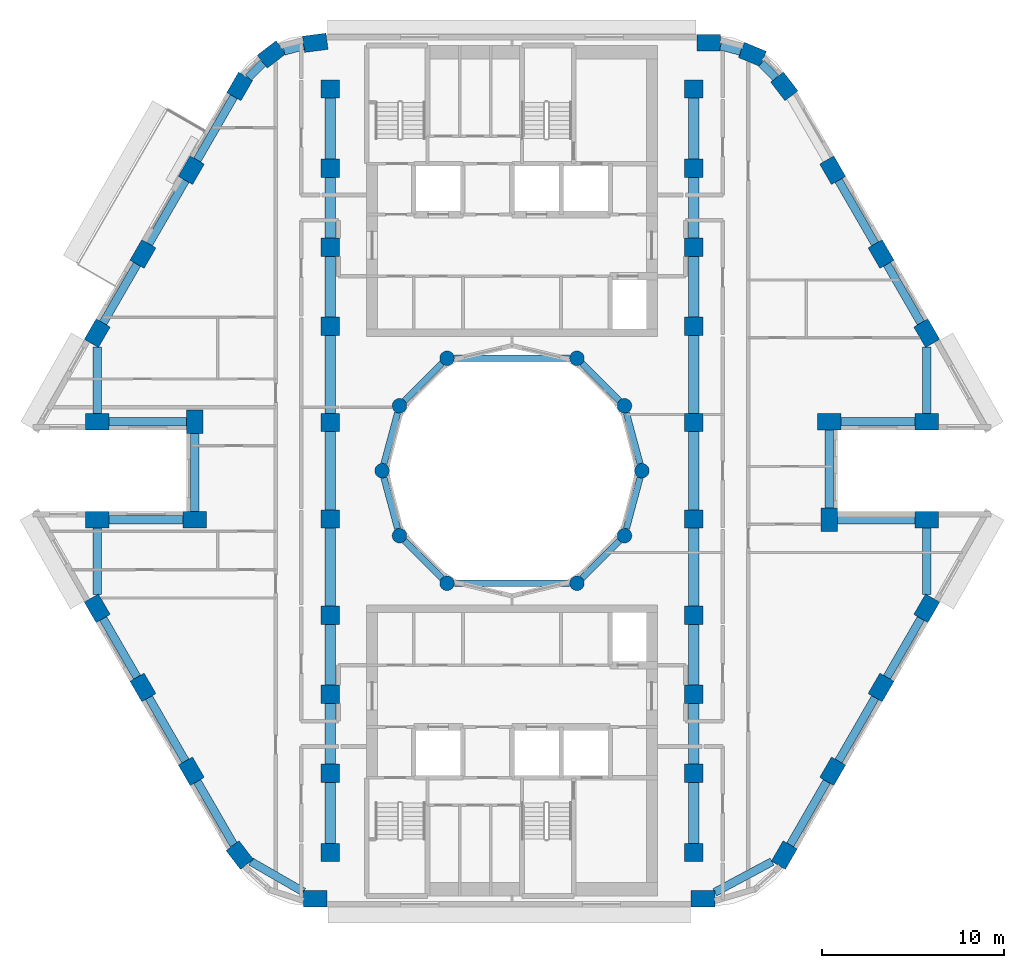
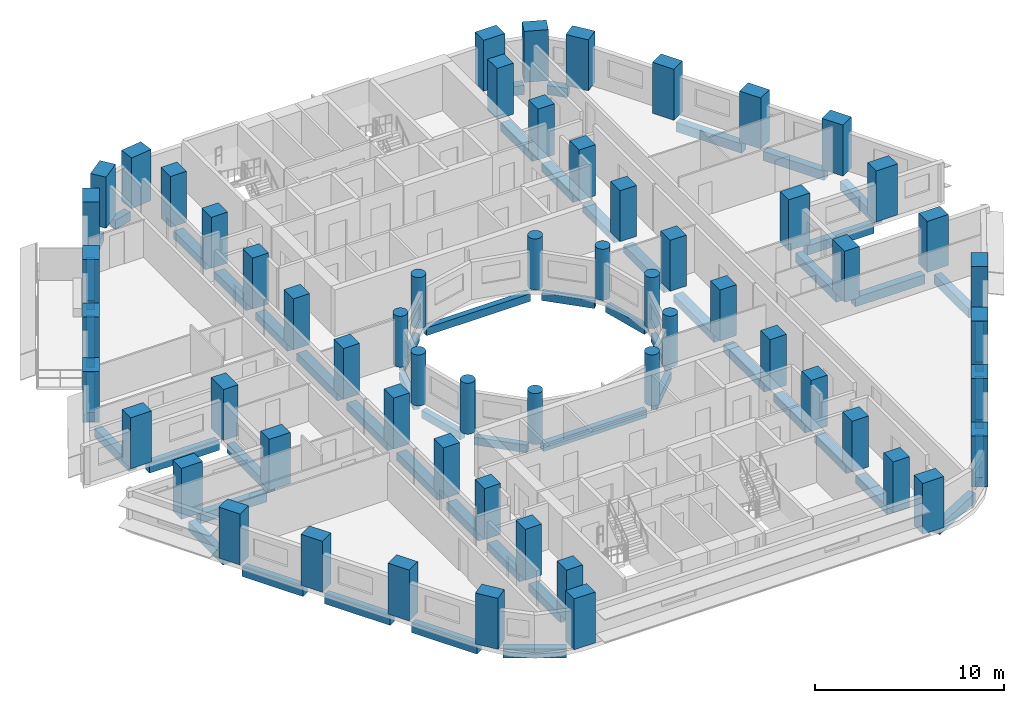
# One storey, part 1 of 13: 60 columns, 55 beams.
"""IFC4 building model written with IfcOpenShell, lengths in metres."""

from ifc_helpers import new_model, si_unit, direction, frame, origin, origin_2d, place, context, subcontext, project, spatial, rectangle, circle, extrude, material, material_profile, profile_set, type_object, element, save


model = new_model("IFC4")

# Units and contexts
model_context = context("Model", 3, precision=1e-05, world=origin(), true_north=direction((0.0, 1.0)))
body_context = subcontext(model_context, "Body", "Model", "MODEL_VIEW")
ifc_project = project(units=[si_unit("LENGTHUNIT", "METRE"), si_unit("AREAUNIT", "SQUARE_METRE"), si_unit("VOLUMEUNIT", "CUBIC_METRE"), si_unit("PLANEANGLEUNIT", "RADIAN"), si_unit("MASSUNIT", "GRAM", prefix="KILO")], contexts=[model_context])

# Site, building, storey
site_placement = place(None, origin())
site = spatial("IfcSite", under=ifc_project, at=site_placement, CompositionType="ELEMENT")
building_placement = place(site_placement, origin())
building = spatial("IfcBuilding", under=site, at=building_placement, Name="Nakaniwa Court", CompositionType="ELEMENT")
storey_placement = place(building_placement, frame((0.0, 0.0, 140.39990234375)))
storey = spatial("IfcBuildingStorey", under=building, at=storey_placement, Name="L36", CompositionType="ELEMENT", Elevation=140.39990234375)

# Columns
ifc_material = material(Name="Concrete C80/100", Category="concrete")
ifc_material_profile_1 = material_profile(ifc_material, rectangle(XDim=1.0, YDim=1.0, at=origin_2d()), Name="Concrete C80/100 RC 1000x1000 spine column")
ifc_profile_set_1 = profile_set([ifc_material_profile_1], Name="Concrete C80/100")
column_type_1 = type_object("IfcColumnType", Name="Concrete C80/100 RC 1000x1000 spine column", PredefinedType="COLUMN", material=ifc_profile_set_1)
for number, where, z_axis, x_axis, name in (
    (1, (90.0, 59.0, 0.0), (0.0, 0.0, 1.0), (0.0, 1.0, 0.0), "COLUMN CS-01"),
    (2, (90.0, 63.35009765625, 0.0), (0.0, 0.0, 1.0), (0.0, 1.0, 0.0), "COLUMN CS-02"),
    (3, (90.0, 67.699951171875, 0.0), (0.0, 0.0, 1.0), (0.0, 1.0, 0.0), "COLUMN CS-03"),
    (4, (90.0, 72.050048828125, 0.0), (0.0, 0.0, 1.0), (0.0, 1.0, 0.0), "COLUMN CS-04"),
    (5, (90.0, 77.35009765625, 0.0), (0.0, 0.0, 1.0), (0.0, 1.0, 0.0), "COLUMN CS-05"),
    (6, (90.0, 82.64990234375, 0.0), (0.0, 0.0, 1.0), (0.0, 1.0, 0.0), "COLUMN CS-06"),
    (7, (90.0, 87.949951171875, 0.0), (0.0, 0.0, 1.0), (0.0, 1.0, 0.0), "COLUMN CS-07"),
    (8, (90.0, 92.300048828125, 0.0), (0.0, 0.0, 1.0), (0.0, 1.0, 0.0), "COLUMN CS-08"),
    (9, (90.0, 96.64990234375, 0.0), (0.0, 0.0, 1.0), (0.0, 1.0, 0.0), "COLUMN CS-09"),
    (10, (90.0, 101.0, 0.0), (0.0, 0.0, 1.0), (0.0, 1.0, 0.0), "COLUMN CS-10"),
    (11, (70.0, 101.0, 0.0), (0.0, 0.0, 1.0), (0.0, -1.0, 0.0), "COLUMN CS-11"),
    (12, (70.0, 96.64990234375, 0.0), (0.0, 0.0, 1.0), (0.0, -1.0, 0.0), "COLUMN CS-12"),
    (13, (70.0, 92.300048828125, 0.0), (0.0, 0.0, 1.0), (0.0, -1.0, 0.0), "COLUMN CS-13"),
    (14, (70.0, 87.949951171875, 0.0), (0.0, 0.0, 1.0), (0.0, -1.0, 0.0), "COLUMN CS-14"),
    (15, (70.0, 82.64990234375, 0.0), (0.0, 0.0, 1.0), (0.0, -1.0, 0.0), "COLUMN CS-15"),
    (16, (70.0, 77.35009765625, 0.0), (0.0, 0.0, 1.0), (0.0, -1.0, 0.0), "COLUMN CS-16"),
    (17, (70.0, 72.050048828125, 0.0), (0.0, 0.0, 1.0), (0.0, -1.0, 0.0), "COLUMN CS-17"),
    (18, (70.0, 67.699951171875, 0.0), (0.0, 0.0, 1.0), (0.0, -1.0, 0.0), "COLUMN CS-18"),
    (19, (70.0, 63.35009765625, 0.0), (0.0, 0.0, 1.0), (0.0, -1.0, 0.0), "COLUMN CS-19"),
    (20, (70.0, 59.0, 0.0), (0.0, 0.0, 1.0), (0.0, -1.0, 0.0), "COLUMN CS-20"),
):
    element("IfcColumn", number, at=place(storey_placement, frame(where, z_axis=z_axis, x_axis=x_axis)), inside=storey, type_object=column_type_1, Name=name, PredefinedType="COLUMN", context=body_context, shape_type="SweptSolid", body=[
        extrude(rectangle(XDim=1.0, YDim=1.0, at=origin_2d()), origin(), (0.0, 0.0, 1.0), 3.300048828125),
    ])
ifc_material_profile_2 = material_profile(ifc_material, rectangle(XDim=1.300048828125, YDim=0.89990234375, at=origin_2d()), Name="Concrete C80/100 RC 1300x900 perimeter column")
ifc_profile_set_2 = profile_set([ifc_material_profile_2], Name="Concrete C80/100")
column_type_2 = type_object("IfcColumnType", Name="Concrete C80/100 RC 1300x900 perimeter column", PredefinedType="COLUMN", material=ifc_profile_set_2)
for number, where, z_axis, x_axis, name in (
    (21, (69.17529296875, 103.550048828125, 0.0), (0.0, 0.0, 1.0), (-0.991442583111, -0.130543496177, 0.0), "COLUMN CO-01"),
    (22, (66.772705078125, 102.91015625, 0.0), (0.0, 0.0, 1.0), (-0.793363965062, -0.608747582288, 0.0), "COLUMN CO-02"),
    (23, (65.017578125, 101.1494140625, 0.0), (0.0, 0.0, 1.0), (-0.5, -0.866025403784, 0.0), "COLUMN CO-03"),
    (24, (62.3544921875, 96.537109375, 0.0), (0.0, 0.0, 1.0), (-0.5, -0.866025403784, 0.0), "COLUMN CO-04"),
    (25, (59.691650390625, 91.9248046875, 0.0), (0.0, 0.0, 1.0), (-0.5, -0.866025403784, 0.0), "COLUMN CO-05"),
    (26, (57.177001953125, 87.569580078125, 0.0), (0.0, 0.0, 1.0), (-0.5, -0.866025403784, 0.0), "COLUMN CO-06"),
    (27, (57.177001953125, 82.699951171875, 0.0), (0.0, 0.0, 1.0), (1.0, 0.0, 0.0), "COLUMN CO-08"),
    (28, (62.54150390625, 82.699951171875, 0.0), (0.0, 0.0, 1.0), (0.0, -1.0, 0.0), "COLUMN CO-09"),
    (29, (62.54150390625, 77.300048828125, 0.0), (0.0, 0.0, 1.0), (-1.0, 0.0, 0.0), "COLUMN CO-10"),
    (30, (57.177001953125, 77.300048828125, 0.0), (0.0, 0.0, 1.0), (-1.0, 0.0, 0.0), "COLUMN CO-11"),
    (31, (57.177001953125, 72.430419921875, 0.0), (0.0, 0.0, 1.0), (0.5, -0.866025403784, 0.0), "COLUMN CO-13"),
    (32, (59.691650390625, 68.0751953125, 0.0), (0.0, 0.0, 1.0), (0.5, -0.866025403784, 0.0), "COLUMN CO-14"),
    (33, (62.3544921875, 63.462890625, 0.0), (0.0, 0.0, 1.0), (0.5, -0.866025403784, 0.0), "COLUMN CO-15"),
    (34, (65.017578125, 58.8505859375, 0.0), (0.0, 0.0, 1.0), (0.608761429009, -0.793353340291, 0.0), "COLUMN CO-16"),
    (35, (69.17529296875, 56.449951171875, 0.0), (0.0, 0.0, 1.0), (1.0, 0.0, 0.0), "COLUMN CO-17"),
    (36, (90.507080078125, 56.449951171875, 0.0), (0.0, 0.0, 1.0), (1.0, 0.0, 0.0), "COLUMN CO-21"),
    (37, (94.982421875, 58.8505859375, 0.0), (0.0, 0.0, 1.0), (0.5, 0.866025403784, 0.0), "COLUMN CO-22"),
    (38, (97.6455078125, 63.462890625, 0.0), (0.0, 0.0, 1.0), (0.5, 0.866025403784, 0.0), "COLUMN CO-23"),
    (39, (100.308349609375, 68.0751953125, 0.0), (0.0, 0.0, 1.0), (0.5, 0.866025403784, 0.0), "COLUMN CO-24"),
    (40, (102.822998046875, 72.430419921875, 0.0), (0.0, 0.0, 1.0), (0.5, 0.866025403784, 0.0), "COLUMN CO-25"),
    (41, (102.822998046875, 77.300048828125, 0.0), (0.0, 0.0, 1.0), (-1.0, 0.0, 0.0), "COLUMN CO-27"),
    (42, (97.45849609375, 77.300048828125, 0.0), (0.0, 0.0, 1.0), (0.0, 1.0, 0.0), "COLUMN CO-28"),
    (43, (97.45849609375, 82.699951171875, 0.0), (0.0, 0.0, 1.0), (1.0, 0.0, 0.0), "COLUMN CO-29"),
    (44, (102.822998046875, 82.699951171875, 0.0), (0.0, 0.0, 1.0), (1.0, 0.0, 0.0), "COLUMN CO-30"),
    (45, (102.822998046875, 87.569580078125, 0.0), (0.0, 0.0, 1.0), (-0.5, 0.866025403784, 0.0), "COLUMN CO-32"),
    (46, (100.308349609375, 91.9248046875, 0.0), (0.0, 0.0, 1.0), (-0.5, 0.866025403784, 0.0), "COLUMN CO-33"),
    (47, (97.6455078125, 96.537109375, 0.0), (0.0, 0.0, 1.0), (-0.5, 0.866025403784, 0.0), "COLUMN CO-34"),
    (48, (94.982421875, 101.1494140625, 0.0), (0.0, 0.0, 1.0), (-0.608761429009, 0.793353340291, 0.0), "COLUMN CO-35"),
    (49, (93.227294921875, 102.91015625, 0.0), (0.0, 0.0, 1.0), (-0.923879532511, 0.382683432365, 0.0), "COLUMN CO-36"),
    (50, (90.82470703125, 103.550048828125, 0.0), (0.0, 0.0, 1.0), (-1.0, 0.0, 0.0), "COLUMN CO-37"),
):
    element("IfcColumn", number, at=place(storey_placement, frame(where, z_axis=z_axis, x_axis=x_axis)), inside=storey, type_object=column_type_2, Name=name, PredefinedType="COLUMN", context=body_context, shape_type="SweptSolid", body=[
        extrude(rectangle(XDim=1.300048828125, YDim=0.89990234375, at=origin_2d()), origin(), (0.0, 0.0, 1.0), 3.300048828125),
    ])
ifc_material_profile_3 = material_profile(ifc_material, circle(Radius=0.39990234375, at=origin_2d()), Name="Concrete C80/100 RC D800 inner ring column")
ifc_profile_set_3 = profile_set([ifc_material_profile_3], Name="Concrete C80/100")
column_type_3 = type_object("IfcColumnType", Name="Concrete C80/100 RC D800 inner ring column", PredefinedType="COLUMN", material=ifc_profile_set_3)
for number, where, z_axis, x_axis, name in (
    (51, (87.14990234375, 80.0, 0.0), (0.0, 0.0, 1.0), (0.0, 1.0, 0.0), "COLUMN CI-01"),
    (52, (86.192138671875, 83.574951171875, 0.0), (0.0, 0.0, 1.0), (-0.5, 0.866025403784, 0.0), "COLUMN CI-02"),
    (53, (83.574951171875, 86.192138671875, 0.0), (0.0, 0.0, 1.0), (-0.866025403784, 0.5, 0.0), "COLUMN CI-03"),
    (54, (76.425048828125, 86.192138671875, 0.0), (0.0, 0.0, 1.0), (-0.866025403784, -0.5, 0.0), "COLUMN CI-05"),
    (55, (73.807861328125, 83.574951171875, 0.0), (0.0, 0.0, 1.0), (-0.5, -0.866025403784, 0.0), "COLUMN CI-06"),
    (56, (72.85009765625, 80.0, 0.0), (0.0, 0.0, 1.0), (0.0, -1.0, 0.0), "COLUMN CI-07"),
    (57, (73.807861328125, 76.425048828125, 0.0), (0.0, 0.0, 1.0), (0.5, -0.866025403784, 0.0), "COLUMN CI-08"),
    (58, (76.425048828125, 73.807861328125, 0.0), (0.0, 0.0, 1.0), (0.866025403784, -0.5, 0.0), "COLUMN CI-09"),
    (59, (83.574951171875, 73.807861328125, 0.0), (0.0, 0.0, 1.0), (0.866025403784, 0.5, 0.0), "COLUMN CI-11"),
    (60, (86.192138671875, 76.425048828125, 0.0), (0.0, 0.0, 1.0), (0.5, 0.866025403784, 0.0), "COLUMN CI-12"),
):
    element("IfcColumn", number, at=place(storey_placement, frame(where, z_axis=z_axis, x_axis=x_axis)), inside=storey, type_object=column_type_3, Name=name, PredefinedType="COLUMN", context=body_context, shape_type="SweptSolid", body=[
        extrude(circle(Radius=0.39990234375, at=origin_2d()), origin(), (0.0, 0.0, 1.0), 3.300048828125),
    ])

# Beams
ifc_material_profile_4 = material_profile(ifc_material, rectangle(XDim=0.35009765625, YDim=0.5, at=origin_2d()), Name="Concrete C80/100 RC 350x500 ring beam")
ifc_profile_set_4 = profile_set([ifc_material_profile_4], Name="Concrete C80/100")
beam_type_1 = type_object("IfcBeamType", Name="Concrete C80/100 RC 350x500 ring beam", PredefinedType="BEAM", material=ifc_profile_set_4)
beam_1_placement = place(storey_placement, frame((87.04638671875, 80.386474609375, -0.52490234375), z_axis=(-0.258778150207, 0.965936783115, 0.0), x_axis=(-0.965936783115, -0.258778150207, 0.0)))
element("IfcBeam", 61, at=beam_1_placement, inside=storey, type_object=beam_type_1, Name="RING BEAM", PredefinedType="BEAM", context=body_context, shape_type="SweptSolid", body=[
    extrude(rectangle(XDim=0.35009765625, YDim=0.5, at=origin_2d()), origin(), (0.0, 0.0, 1.0), 2.901123046875),
])
beam_2_placement = place(storey_placement, frame((85.9091796875, 83.85791015625, -0.52490234375), z_axis=(-0.707106781187, 0.707106781187, 0.0), x_axis=(-0.707106781187, -0.707106781187, 0.0)))
element("IfcBeam", 62, at=beam_2_placement, inside=storey, type_object=beam_type_1, Name="RING BEAM", PredefinedType="BEAM", context=body_context, shape_type="SweptSolid", body=[
    extrude(rectangle(XDim=0.35009765625, YDim=0.5, at=origin_2d()), origin(), (0.0, 0.0, 1.0), 2.90087890625),
])
beam_3_placement = place(storey_placement, frame((83.175048828125, 86.192138671875, -0.52490234375), z_axis=(-1.0, 0.0, 0.0), x_axis=(0.0, -1.0, 0.0)))
element("IfcBeam", 63, at=beam_3_placement, inside=storey, type_object=beam_type_1, Name="RING BEAM", PredefinedType="BEAM", context=body_context, shape_type="SweptSolid", body=[
    extrude(rectangle(XDim=0.35009765625, YDim=0.5, at=origin_2d()), origin(), (0.0, 0.0, 1.0), 6.35009765625),
])
beam_4_placement = place(storey_placement, frame((76.14208984375, 85.9091796875, -0.52490234375), z_axis=(-0.707106781187, -0.707106781187, 0.0), x_axis=(0.707106781187, -0.707106781187, 0.0)))
element("IfcBeam", 64, at=beam_4_placement, inside=storey, type_object=beam_type_1, Name="RING BEAM", PredefinedType="BEAM", context=body_context, shape_type="SweptSolid", body=[
    extrude(rectangle(XDim=0.35009765625, YDim=0.5, at=origin_2d()), origin(), (0.0, 0.0, 1.0), 2.90087890625),
])
for number, where, z_axis, x_axis, name in (
    (65, (73.704345703125, 83.188720703125, -0.52490234375), (-0.258778150207, -0.965936783115, 0.0), (0.965936783115, -0.258778150207, 0.0), "RING BEAM"),
    (66, (72.95361328125, 79.613525390625, -0.52490234375), (0.258778150207, -0.965936783115, 0.0), (0.965936783115, 0.258778150207, 0.0), "RING BEAM"),
):
    element("IfcBeam", number, at=place(storey_placement, frame(where, z_axis=z_axis, x_axis=x_axis)), inside=storey, type_object=beam_type_1, Name=name, PredefinedType="BEAM", context=body_context, shape_type="SweptSolid", body=[
        extrude(rectangle(XDim=0.35009765625, YDim=0.5, at=origin_2d()), origin(), (0.0, 0.0, 1.0), 2.901123046875),
    ])
beam_5_placement = place(storey_placement, frame((74.0908203125, 76.14208984375, -0.52490234375), z_axis=(0.707106781187, -0.707106781187, 0.0), x_axis=(0.707106781187, 0.707106781187, 0.0)))
element("IfcBeam", 67, at=beam_5_placement, inside=storey, type_object=beam_type_1, Name="RING BEAM", PredefinedType="BEAM", context=body_context, shape_type="SweptSolid", body=[
    extrude(rectangle(XDim=0.35009765625, YDim=0.5, at=origin_2d()), origin(), (0.0, 0.0, 1.0), 2.90087890625),
])
beam_6_placement = place(storey_placement, frame((76.824951171875, 73.807861328125, -0.52490234375), z_axis=(1.0, 0.0, 0.0), x_axis=(0.0, 1.0, 0.0)))
element("IfcBeam", 68, at=beam_6_placement, inside=storey, type_object=beam_type_1, Name="RING BEAM", PredefinedType="BEAM", context=body_context, shape_type="SweptSolid", body=[
    extrude(rectangle(XDim=0.35009765625, YDim=0.5, at=origin_2d()), origin(), (0.0, 0.0, 1.0), 6.35009765625),
])
beam_7_placement = place(storey_placement, frame((83.85791015625, 74.0908203125, -0.52490234375), z_axis=(0.707106781187, 0.707106781187, 0.0), x_axis=(-0.707106781187, 0.707106781187, 0.0)))
element("IfcBeam", 69, at=beam_7_placement, inside=storey, type_object=beam_type_1, Name="RING BEAM", PredefinedType="BEAM", context=body_context, shape_type="SweptSolid", body=[
    extrude(rectangle(XDim=0.35009765625, YDim=0.5, at=origin_2d()), origin(), (0.0, 0.0, 1.0), 2.90087890625),
])
beam_8_placement = place(storey_placement, frame((86.295654296875, 76.811279296875, -0.52490234375), z_axis=(0.258778150207, 0.965936783115, 0.0), x_axis=(-0.965936783115, 0.258778150207, 0.0)))
element("IfcBeam", 70, at=beam_8_placement, inside=storey, type_object=beam_type_1, Name="RING BEAM", PredefinedType="BEAM", context=body_context, shape_type="SweptSolid", body=[
    extrude(rectangle(XDim=0.35009765625, YDim=0.5, at=origin_2d()), origin(), (0.0, 0.0, 1.0), 2.901123046875),
])
ifc_material_profile_5 = material_profile(ifc_material, rectangle(XDim=0.449951171875, YDim=0.60009765625, at=origin_2d()), Name="Concrete C80/100 RC 450x600 spandrel beam")
ifc_profile_set_5 = profile_set([ifc_material_profile_5], Name="Concrete C80/100")
beam_type_2 = type_object("IfcBeamType", Name="Concrete C80/100 RC 450x600 spandrel beam", PredefinedType="BEAM", material=ifc_profile_set_5)
beam_9_placement = place(storey_placement, frame((68.5419921875, 103.38134765625, -0.574951171875), z_axis=(-0.966321172043, -0.257339061284, 0.0), x_axis=(0.257339061284, -0.966321172043, 0.0)))
element("IfcBeam", 71, at=beam_9_placement, inside=storey, type_object=beam_type_2, Name="SPANDREL BEAM", PredefinedType="BEAM", context=body_context, shape_type="SweptSolid", body=[
    extrude(rectangle(XDim=0.449951171875, YDim=0.60009765625, at=origin_2d()), origin(), (0.0, 0.0, 1.0), 1.126953125),
])
beam_10_placement = place(storey_placement, frame((66.309814453125, 102.44580078125, -0.574951171875), z_axis=(-0.706051557188, -0.708160432807, 0.0), x_axis=(0.708160432807, -0.706051557188, 0.0)))
element("IfcBeam", 72, at=beam_10_placement, inside=storey, type_object=beam_type_2, Name="SPANDREL BEAM", PredefinedType="BEAM", context=body_context, shape_type="SweptSolid", body=[
    extrude(rectangle(XDim=0.449951171875, YDim=0.60009765625, at=origin_2d()), origin(), (0.0, 0.0, 1.0), 1.15771484375),
])
for number, where, z_axis, x_axis, name in (
    (73, (64.6923828125, 100.586669921875, -0.574951171875), (-0.499993669216, -0.866029058833, 0.0), (0.866029058833, -0.499993669216, 0.0), "SPANDREL BEAM"),
    (74, (62.029541015625, 95.97412109375, -0.574951171875), (-0.499993669216, -0.866029058833, 0.0), (0.866029058833, -0.499993669216, 0.0), "SPANDREL BEAM"),
):
    element("IfcBeam", number, at=place(storey_placement, frame(where, z_axis=z_axis, x_axis=x_axis)), inside=storey, type_object=beam_type_2, Name=name, PredefinedType="BEAM", context=body_context, shape_type="SweptSolid", body=[
        extrude(rectangle(XDim=0.449951171875, YDim=0.60009765625, at=origin_2d()), origin(), (0.0, 0.0, 1.0), 4.02587890625),
    ])
beam_11_placement = place(storey_placement, frame((59.36669921875, 91.36181640625, -0.574951171875), z_axis=(-0.50001905207, -0.866014403787, 0.0), x_axis=(0.866014403787, -0.50001905207, 0.0)))
element("IfcBeam", 75, at=beam_11_placement, inside=storey, type_object=beam_type_2, Name="SPANDREL BEAM", PredefinedType="BEAM", context=body_context, shape_type="SweptSolid", body=[
    extrude(rectangle(XDim=0.449951171875, YDim=0.60009765625, at=origin_2d()), origin(), (0.0, 0.0, 1.0), 3.728759765625),
])
beam_12_placement = place(storey_placement, frame((57.177001953125, 86.819091796875, -0.574951171875), z_axis=(0.0, -1.0, 0.0), x_axis=(1.0, 0.0, 0.0)))
element("IfcBeam", 76, at=beam_12_placement, inside=storey, type_object=beam_type_2, Name="SPANDREL BEAM", PredefinedType="BEAM", context=body_context, shape_type="SweptSolid", body=[
    extrude(rectangle(XDim=0.449951171875, YDim=0.60009765625, at=origin_2d()), origin(), (0.0, 0.0, 1.0), 3.669189453125),
])
beam_13_placement = place(storey_placement, frame((57.8271484375, 82.699951171875, -0.574951171875), z_axis=(1.0, 0.0, 0.0), x_axis=(0.0, 1.0, 0.0)))
element("IfcBeam", 77, at=beam_13_placement, inside=storey, type_object=beam_type_2, Name="SPANDREL BEAM", PredefinedType="BEAM", context=body_context, shape_type="SweptSolid", body=[
    extrude(rectangle(XDim=0.449951171875, YDim=0.60009765625, at=origin_2d()), origin(), (0.0, 0.0, 1.0), 4.264404296875),
])
beam_14_placement = place(storey_placement, frame((62.54150390625, 82.050048828125, -0.574951171875), z_axis=(0.0, -1.0, 0.0), x_axis=(1.0, 0.0, 0.0)))
element("IfcBeam", 78, at=beam_14_placement, inside=storey, type_object=beam_type_2, Name="SPANDREL BEAM", PredefinedType="BEAM", context=body_context, shape_type="SweptSolid", body=[
    extrude(rectangle(XDim=0.449951171875, YDim=0.60009765625, at=origin_2d()), origin(), (0.0, 0.0, 1.0), 4.300048828125),
])
beam_15_placement = place(storey_placement, frame((61.8916015625, 77.300048828125, -0.574951171875), z_axis=(-1.0, 0.0, 0.0), x_axis=(0.0, -1.0, 0.0)))
element("IfcBeam", 79, at=beam_15_placement, inside=storey, type_object=beam_type_2, Name="SPANDREL BEAM", PredefinedType="BEAM", context=body_context, shape_type="SweptSolid", body=[
    extrude(rectangle(XDim=0.449951171875, YDim=0.60009765625, at=origin_2d()), origin(), (0.0, 0.0, 1.0), 4.064453125),
])
beam_16_placement = place(storey_placement, frame((57.177001953125, 76.85009765625, -0.574951171875), z_axis=(0.0, -1.0, 0.0), x_axis=(1.0, 0.0, 0.0)))
element("IfcBeam", 80, at=beam_16_placement, inside=storey, type_object=beam_type_2, Name="SPANDREL BEAM", PredefinedType="BEAM", context=body_context, shape_type="SweptSolid", body=[
    extrude(rectangle(XDim=0.449951171875, YDim=0.60009765625, at=origin_2d()), origin(), (0.0, 0.0, 1.0), 3.669189453125),
])
beam_17_placement = place(storey_placement, frame((57.502197265625, 71.867431640625, -0.574951171875), z_axis=(0.50001905207, -0.866014403787, 0.0), x_axis=(0.866014403787, 0.50001905207, 0.0)))
element("IfcBeam", 81, at=beam_17_placement, inside=storey, type_object=beam_type_2, Name="SPANDREL BEAM", PredefinedType="BEAM", context=body_context, shape_type="SweptSolid", body=[
    extrude(rectangle(XDim=0.449951171875, YDim=0.60009765625, at=origin_2d()), origin(), (0.0, 0.0, 1.0), 3.728759765625),
])
beam_18_placement = place(storey_placement, frame((60.0166015625, 67.512451171875, -0.574951171875), z_axis=(0.499993669216, -0.866029058833, 0.0), x_axis=(0.866029058833, 0.499993669216, 0.0)))
element("IfcBeam", 82, at=beam_18_placement, inside=storey, type_object=beam_type_2, Name="SPANDREL BEAM", PredefinedType="BEAM", context=body_context, shape_type="SweptSolid", body=[
    extrude(rectangle(XDim=0.449951171875, YDim=0.60009765625, at=origin_2d()), origin(), (0.0, 0.0, 1.0), 4.02587890625),
])
beam_19_placement = place(storey_placement, frame((62.679443359375, 62.89990234375, -0.574951171875), z_axis=(0.500018573463, -0.866014680125, 0.0), x_axis=(0.866014680125, 0.500018573463, 0.0)))
element("IfcBeam", 83, at=beam_19_placement, inside=storey, type_object=beam_type_2, Name="SPANDREL BEAM", PredefinedType="BEAM", context=body_context, shape_type="SweptSolid", body=[
    extrude(rectangle(XDim=0.449951171875, YDim=0.60009765625, at=origin_2d()), origin(), (0.0, 0.0, 1.0), 4.020263671875),
])
beam_20_placement = place(storey_placement, frame((65.626708984375, 58.498779296875, -0.574951171875), z_axis=(0.866021605644, -0.500006578514, 0.0), x_axis=(0.500006578514, 0.866021605644, 0.0)))
element("IfcBeam", 84, at=beam_20_placement, inside=storey, type_object=beam_type_2, Name="SPANDREL BEAM", PredefinedType="BEAM", context=body_context, shape_type="SweptSolid", body=[
    extrude(rectangle(XDim=0.449951171875, YDim=0.60009765625, at=origin_2d()), origin(), (0.0, 0.0, 1.0), 3.34716796875),
])
beam_21_placement = place(storey_placement, frame((91.156982421875, 56.798583984375, -0.574951171875), z_axis=(0.881239336512, 0.472670320397, 0.0), x_axis=(-0.472670320397, 0.881239336512, 0.0)))
element("IfcBeam", 85, at=beam_21_placement, inside=storey, type_object=beam_type_2, Name="SPANDREL BEAM", PredefinedType="BEAM", context=body_context, shape_type="SweptSolid", body=[
    extrude(rectangle(XDim=0.449951171875, YDim=0.60009765625, at=origin_2d()), origin(), (0.0, 0.0, 1.0), 3.576416015625),
])
for number, where, z_axis, x_axis, name in (
    (86, (95.3076171875, 59.413330078125, -0.574951171875), (0.499993669216, 0.866029058833, 0.0), (-0.866029058833, 0.499993669216, 0.0), "SPANDREL BEAM"),
    (87, (97.970458984375, 64.02587890625, -0.574951171875), (0.499993669216, 0.866029058833, 0.0), (-0.866029058833, 0.499993669216, 0.0), "SPANDREL BEAM"),
):
    element("IfcBeam", number, at=place(storey_placement, frame(where, z_axis=z_axis, x_axis=x_axis)), inside=storey, type_object=beam_type_2, Name=name, PredefinedType="BEAM", context=body_context, shape_type="SweptSolid", body=[
        extrude(rectangle(XDim=0.449951171875, YDim=0.60009765625, at=origin_2d()), origin(), (0.0, 0.0, 1.0), 4.02587890625),
    ])
beam_22_placement = place(storey_placement, frame((100.63330078125, 68.63818359375, -0.574951171875), z_axis=(0.50001905207, 0.866014403787, 0.0), x_axis=(-0.866014403787, 0.50001905207, 0.0)))
element("IfcBeam", 88, at=beam_22_placement, inside=storey, type_object=beam_type_2, Name="SPANDREL BEAM", PredefinedType="BEAM", context=body_context, shape_type="SweptSolid", body=[
    extrude(rectangle(XDim=0.449951171875, YDim=0.60009765625, at=origin_2d()), origin(), (0.0, 0.0, 1.0), 3.728759765625),
])
beam_23_placement = place(storey_placement, frame((102.822998046875, 73.180908203125, -0.574951171875), z_axis=(0.0, 1.0, 0.0), x_axis=(-1.0, 0.0, 0.0)))
element("IfcBeam", 89, at=beam_23_placement, inside=storey, type_object=beam_type_2, Name="SPANDREL BEAM", PredefinedType="BEAM", context=body_context, shape_type="SweptSolid", body=[
    extrude(rectangle(XDim=0.449951171875, YDim=0.60009765625, at=origin_2d()), origin(), (0.0, 0.0, 1.0), 3.669189453125),
])
beam_24_placement = place(storey_placement, frame((102.1728515625, 77.300048828125, -0.574951171875), z_axis=(-1.0, 0.0, 0.0), x_axis=(0.0, -1.0, 0.0)))
element("IfcBeam", 90, at=beam_24_placement, inside=storey, type_object=beam_type_2, Name="SPANDREL BEAM", PredefinedType="BEAM", context=body_context, shape_type="SweptSolid", body=[
    extrude(rectangle(XDim=0.449951171875, YDim=0.60009765625, at=origin_2d()), origin(), (0.0, 0.0, 1.0), 4.264404296875),
])
beam_25_placement = place(storey_placement, frame((97.45849609375, 77.949951171875, -0.574951171875), z_axis=(0.0, 1.0, 0.0), x_axis=(-1.0, 0.0, 0.0)))
element("IfcBeam", 91, at=beam_25_placement, inside=storey, type_object=beam_type_2, Name="SPANDREL BEAM", PredefinedType="BEAM", context=body_context, shape_type="SweptSolid", body=[
    extrude(rectangle(XDim=0.449951171875, YDim=0.60009765625, at=origin_2d()), origin(), (0.0, 0.0, 1.0), 4.300048828125),
])
beam_26_placement = place(storey_placement, frame((98.1083984375, 82.699951171875, -0.574951171875), z_axis=(1.0, 0.0, 0.0), x_axis=(0.0, 1.0, 0.0)))
element("IfcBeam", 92, at=beam_26_placement, inside=storey, type_object=beam_type_2, Name="SPANDREL BEAM", PredefinedType="BEAM", context=body_context, shape_type="SweptSolid", body=[
    extrude(rectangle(XDim=0.449951171875, YDim=0.60009765625, at=origin_2d()), origin(), (0.0, 0.0, 1.0), 4.064453125),
])
beam_27_placement = place(storey_placement, frame((102.822998046875, 83.14990234375, -0.574951171875), z_axis=(0.0, 1.0, 0.0), x_axis=(-1.0, 0.0, 0.0)))
element("IfcBeam", 93, at=beam_27_placement, inside=storey, type_object=beam_type_2, Name="SPANDREL BEAM", PredefinedType="BEAM", context=body_context, shape_type="SweptSolid", body=[
    extrude(rectangle(XDim=0.449951171875, YDim=0.60009765625, at=origin_2d()), origin(), (0.0, 0.0, 1.0), 3.669189453125),
])
beam_28_placement = place(storey_placement, frame((102.497802734375, 88.132568359375, -0.574951171875), z_axis=(-0.50001905207, 0.866014403787, 0.0), x_axis=(-0.866014403787, -0.50001905207, 0.0)))
element("IfcBeam", 94, at=beam_28_placement, inside=storey, type_object=beam_type_2, Name="SPANDREL BEAM", PredefinedType="BEAM", context=body_context, shape_type="SweptSolid", body=[
    extrude(rectangle(XDim=0.449951171875, YDim=0.60009765625, at=origin_2d()), origin(), (0.0, 0.0, 1.0), 3.728759765625),
])
beam_29_placement = place(storey_placement, frame((99.9833984375, 92.487548828125, -0.574951171875), z_axis=(-0.499993669216, 0.866029058833, 0.0), x_axis=(-0.866029058833, -0.499993669216, 0.0)))
element("IfcBeam", 95, at=beam_29_placement, inside=storey, type_object=beam_type_2, Name="SPANDREL BEAM", PredefinedType="BEAM", context=body_context, shape_type="SweptSolid", body=[
    extrude(rectangle(XDim=0.449951171875, YDim=0.60009765625, at=origin_2d()), origin(), (0.0, 0.0, 1.0), 4.02587890625),
])
beam_30_placement = place(storey_placement, frame((94.519775390625, 101.61376953125, -0.574951171875), z_axis=(-0.706022429805, 0.708189472254, 0.0), x_axis=(-0.708189472254, -0.706022429805, 0.0)))
element("IfcBeam", 96, at=beam_30_placement, inside=storey, type_object=beam_type_2, Name="SPANDREL BEAM", PredefinedType="BEAM", context=body_context, shape_type="SweptSolid", body=[
    extrude(rectangle(XDim=0.449951171875, YDim=0.60009765625, at=origin_2d()), origin(), (0.0, 0.0, 1.0), 1.126708984375),
])
beam_31_placement = place(storey_placement, frame((92.593505859375, 103.078857421875, -0.574951171875), z_axis=(-0.966294404875, 0.257439552335, 0.0), x_axis=(-0.257439552335, -0.966294404875, 0.0)))
element("IfcBeam", 97, at=beam_31_placement, inside=storey, type_object=beam_type_2, Name="SPANDREL BEAM", PredefinedType="BEAM", context=body_context, shape_type="SweptSolid", body=[
    extrude(rectangle(XDim=0.449951171875, YDim=0.60009765625, at=origin_2d()), origin(), (0.0, 0.0, 1.0), 1.157958984375),
])
ifc_material_profile_6 = material_profile(ifc_material, rectangle(XDim=0.60009765625, YDim=0.5, at=origin_2d()), Name="Concrete C80/100 RC 600x500 ring beam")
ifc_profile_set_6 = profile_set([ifc_material_profile_6], Name="Concrete C80/100")
beam_type_3 = type_object("IfcBeamType", Name="Concrete C80/100 RC 600x500 ring beam", PredefinedType="BEAM", material=ifc_profile_set_6)
beam_32_placement = place(storey_placement, frame((90.0, 59.5, -0.52490234375), z_axis=(0.0, 1.0, 0.0), x_axis=(-1.0, 0.0, 0.0)))
element("IfcBeam", 98, at=beam_32_placement, inside=storey, type_object=beam_type_3, Name="RING BEAM", PredefinedType="BEAM", context=body_context, shape_type="SweptSolid", body=[
    extrude(rectangle(XDim=0.60009765625, YDim=0.5, at=origin_2d()), origin(), (0.0, 0.0, 1.0), 3.35009765625),
])
beam_33_placement = place(storey_placement, frame((90.0, 63.85009765625, -0.52490234375), z_axis=(0.0, 1.0, 0.0), x_axis=(-1.0, 0.0, 0.0)))
element("IfcBeam", 99, at=beam_33_placement, inside=storey, type_object=beam_type_3, Name="RING BEAM", PredefinedType="BEAM", context=body_context, shape_type="SweptSolid", body=[
    extrude(rectangle(XDim=0.60009765625, YDim=0.5, at=origin_2d()), origin(), (0.0, 0.0, 1.0), 3.349853515625),
])
beam_34_placement = place(storey_placement, frame((90.0, 68.199951171875, -0.52490234375), z_axis=(0.0, 1.0, 0.0), x_axis=(-1.0, 0.0, 0.0)))
element("IfcBeam", 100, at=beam_34_placement, inside=storey, type_object=beam_type_3, Name="RING BEAM", PredefinedType="BEAM", context=body_context, shape_type="SweptSolid", body=[
    extrude(rectangle(XDim=0.60009765625, YDim=0.5, at=origin_2d()), origin(), (0.0, 0.0, 1.0), 3.35009765625),
])
beam_35_placement = place(storey_placement, frame((90.0, 72.550048828125, -0.52490234375), z_axis=(0.0, 1.0, 0.0), x_axis=(-1.0, 0.0, 0.0)))
element("IfcBeam", 101, at=beam_35_placement, inside=storey, type_object=beam_type_3, Name="RING BEAM", PredefinedType="BEAM", context=body_context, shape_type="SweptSolid", body=[
    extrude(rectangle(XDim=0.60009765625, YDim=0.5, at=origin_2d()), origin(), (0.0, 0.0, 1.0), 4.300048828125),
])
beam_36_placement = place(storey_placement, frame((90.0, 77.85009765625, -0.52490234375), z_axis=(0.0, 1.0, 0.0), x_axis=(-1.0, 0.0, 0.0)))
element("IfcBeam", 102, at=beam_36_placement, inside=storey, type_object=beam_type_3, Name="RING BEAM", PredefinedType="BEAM", context=body_context, shape_type="SweptSolid", body=[
    extrude(rectangle(XDim=0.60009765625, YDim=0.5, at=origin_2d()), origin(), (0.0, 0.0, 1.0), 4.2998046875),
])
beam_37_placement = place(storey_placement, frame((90.0, 83.14990234375, -0.52490234375), z_axis=(0.0, 1.0, 0.0), x_axis=(-1.0, 0.0, 0.0)))
element("IfcBeam", 103, at=beam_37_placement, inside=storey, type_object=beam_type_3, Name="RING BEAM", PredefinedType="BEAM", context=body_context, shape_type="SweptSolid", body=[
    extrude(rectangle(XDim=0.60009765625, YDim=0.5, at=origin_2d()), origin(), (0.0, 0.0, 1.0), 4.300048828125),
])
beam_38_placement = place(storey_placement, frame((90.0, 88.449951171875, -0.52490234375), z_axis=(0.0, 1.0, 0.0), x_axis=(-1.0, 0.0, 0.0)))
element("IfcBeam", 104, at=beam_38_placement, inside=storey, type_object=beam_type_3, Name="RING BEAM", PredefinedType="BEAM", context=body_context, shape_type="SweptSolid", body=[
    extrude(rectangle(XDim=0.60009765625, YDim=0.5, at=origin_2d()), origin(), (0.0, 0.0, 1.0), 3.35009765625),
])
beam_39_placement = place(storey_placement, frame((90.0, 92.800048828125, -0.52490234375), z_axis=(0.0, 1.0, 0.0), x_axis=(-1.0, 0.0, 0.0)))
element("IfcBeam", 105, at=beam_39_placement, inside=storey, type_object=beam_type_3, Name="RING BEAM", PredefinedType="BEAM", context=body_context, shape_type="SweptSolid", body=[
    extrude(rectangle(XDim=0.60009765625, YDim=0.5, at=origin_2d()), origin(), (0.0, 0.0, 1.0), 3.349853515625),
])
for number, where, z_axis, x_axis, name in (
    (106, (90.0, 97.14990234375, -0.52490234375), (0.0, 1.0, 0.0), (-1.0, 0.0, 0.0), "RING BEAM"),
    (107, (70.0, 100.5, -0.52490234375), (0.0, -1.0, 0.0), (1.0, 0.0, 0.0), "RING BEAM"),
):
    element("IfcBeam", number, at=place(storey_placement, frame(where, z_axis=z_axis, x_axis=x_axis)), inside=storey, type_object=beam_type_3, Name=name, PredefinedType="BEAM", context=body_context, shape_type="SweptSolid", body=[
        extrude(rectangle(XDim=0.60009765625, YDim=0.5, at=origin_2d()), origin(), (0.0, 0.0, 1.0), 3.35009765625),
    ])
beam_40_placement = place(storey_placement, frame((70.0, 96.14990234375, -0.52490234375), z_axis=(0.0, -1.0, 0.0), x_axis=(1.0, 0.0, 0.0)))
element("IfcBeam", 108, at=beam_40_placement, inside=storey, type_object=beam_type_3, Name="RING BEAM", PredefinedType="BEAM", context=body_context, shape_type="SweptSolid", body=[
    extrude(rectangle(XDim=0.60009765625, YDim=0.5, at=origin_2d()), origin(), (0.0, 0.0, 1.0), 3.349853515625),
])
beam_41_placement = place(storey_placement, frame((70.0, 91.800048828125, -0.52490234375), z_axis=(0.0, -1.0, 0.0), x_axis=(1.0, 0.0, 0.0)))
element("IfcBeam", 109, at=beam_41_placement, inside=storey, type_object=beam_type_3, Name="RING BEAM", PredefinedType="BEAM", context=body_context, shape_type="SweptSolid", body=[
    extrude(rectangle(XDim=0.60009765625, YDim=0.5, at=origin_2d()), origin(), (0.0, 0.0, 1.0), 3.35009765625),
])
beam_42_placement = place(storey_placement, frame((70.0, 87.449951171875, -0.52490234375), z_axis=(0.0, -1.0, 0.0), x_axis=(1.0, 0.0, 0.0)))
element("IfcBeam", 110, at=beam_42_placement, inside=storey, type_object=beam_type_3, Name="RING BEAM", PredefinedType="BEAM", context=body_context, shape_type="SweptSolid", body=[
    extrude(rectangle(XDim=0.60009765625, YDim=0.5, at=origin_2d()), origin(), (0.0, 0.0, 1.0), 4.300048828125),
])
beam_43_placement = place(storey_placement, frame((70.0, 82.14990234375, -0.52490234375), z_axis=(0.0, -1.0, 0.0), x_axis=(1.0, 0.0, 0.0)))
element("IfcBeam", 111, at=beam_43_placement, inside=storey, type_object=beam_type_3, Name="RING BEAM", PredefinedType="BEAM", context=body_context, shape_type="SweptSolid", body=[
    extrude(rectangle(XDim=0.60009765625, YDim=0.5, at=origin_2d()), origin(), (0.0, 0.0, 1.0), 4.2998046875),
])
beam_44_placement = place(storey_placement, frame((70.0, 76.85009765625, -0.52490234375), z_axis=(0.0, -1.0, 0.0), x_axis=(1.0, 0.0, 0.0)))
element("IfcBeam", 112, at=beam_44_placement, inside=storey, type_object=beam_type_3, Name="RING BEAM", PredefinedType="BEAM", context=body_context, shape_type="SweptSolid", body=[
    extrude(rectangle(XDim=0.60009765625, YDim=0.5, at=origin_2d()), origin(), (0.0, 0.0, 1.0), 4.300048828125),
])
beam_45_placement = place(storey_placement, frame((70.0, 71.550048828125, -0.52490234375), z_axis=(0.0, -1.0, 0.0), x_axis=(1.0, 0.0, 0.0)))
element("IfcBeam", 113, at=beam_45_placement, inside=storey, type_object=beam_type_3, Name="RING BEAM", PredefinedType="BEAM", context=body_context, shape_type="SweptSolid", body=[
    extrude(rectangle(XDim=0.60009765625, YDim=0.5, at=origin_2d()), origin(), (0.0, 0.0, 1.0), 3.35009765625),
])
beam_46_placement = place(storey_placement, frame((70.0, 67.199951171875, -0.52490234375), z_axis=(0.0, -1.0, 0.0), x_axis=(1.0, 0.0, 0.0)))
element("IfcBeam", 114, at=beam_46_placement, inside=storey, type_object=beam_type_3, Name="RING BEAM", PredefinedType="BEAM", context=body_context, shape_type="SweptSolid", body=[
    extrude(rectangle(XDim=0.60009765625, YDim=0.5, at=origin_2d()), origin(), (0.0, 0.0, 1.0), 3.349853515625),
])
beam_47_placement = place(storey_placement, frame((70.0, 62.85009765625, -0.52490234375), z_axis=(0.0, -1.0, 0.0), x_axis=(1.0, 0.0, 0.0)))
element("IfcBeam", 115, at=beam_47_placement, inside=storey, type_object=beam_type_3, Name="RING BEAM", PredefinedType="BEAM", context=body_context, shape_type="SweptSolid", body=[
    extrude(rectangle(XDim=0.60009765625, YDim=0.5, at=origin_2d()), origin(), (0.0, 0.0, 1.0), 3.35009765625),
])

save(model, "model.ifc")
